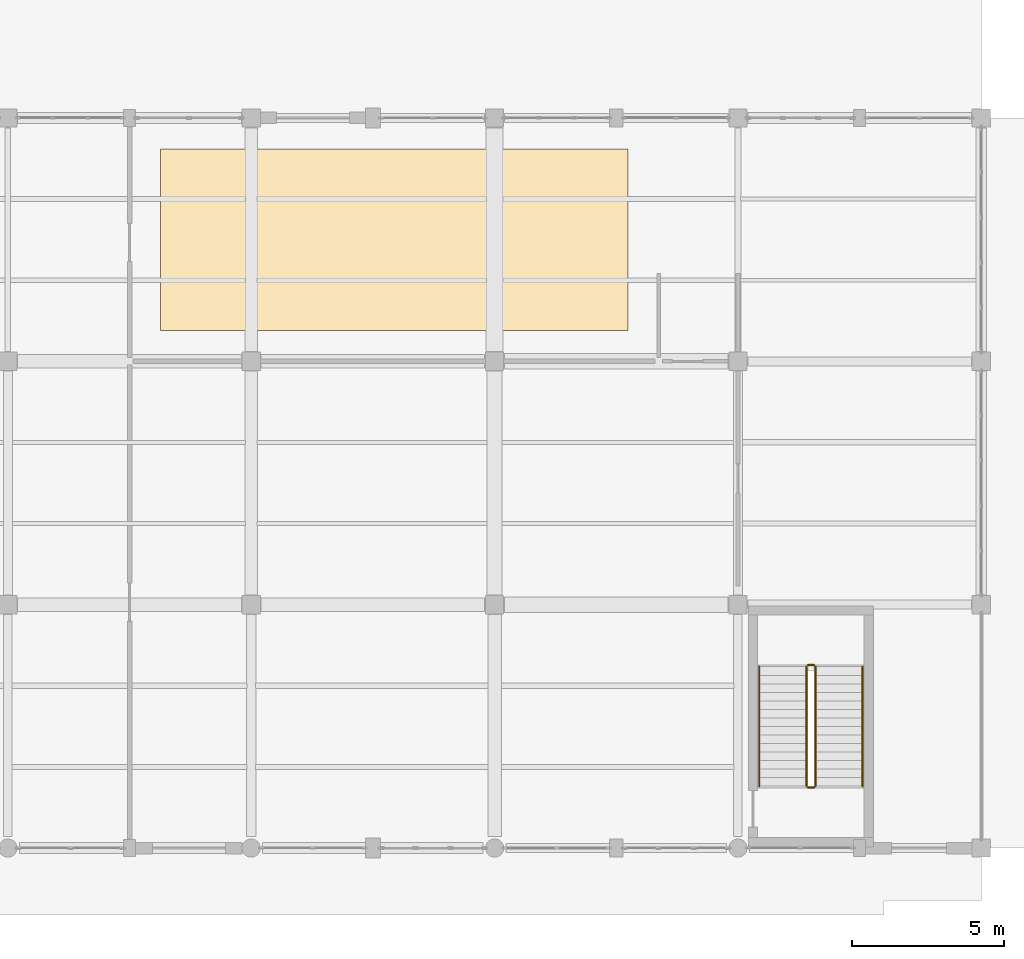
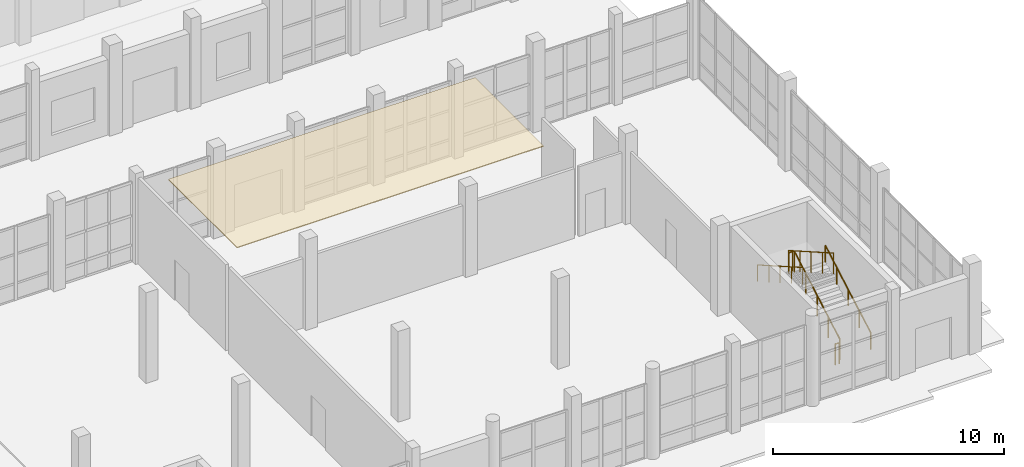
# One storey, part 150 of 156: 6 railings, 1 covering.
"""IFC4 building model written with IfcOpenShell, lengths in metres."""

from ifc_helpers import new_model, si_unit, direction, frame, origin, origin_2d, place, context, subcontext, project, spatial, polyline, circle, outline, extrude, material, layer, layer_set, type_object, element, save


model = new_model("IFC4")

# Units and contexts
model_context = context("Model", 3, precision=1e-05, world=origin(), true_north=direction((0.0, 1.0)))
body_context = subcontext(model_context, "Body", "Model", "MODEL_VIEW")
ifc_project = project(units=[si_unit("LENGTHUNIT", "METRE"), si_unit("AREAUNIT", "SQUARE_METRE"), si_unit("VOLUMEUNIT", "CUBIC_METRE"), si_unit("PLANEANGLEUNIT", "RADIAN"), si_unit("MASSUNIT", "GRAM", prefix="KILO")], contexts=[model_context])

# Site, building, storey
site_placement = place(None, origin())
site = spatial("IfcSite", under=ifc_project, at=site_placement, CompositionType="ELEMENT")
building_placement = place(site_placement, origin())
building = spatial("IfcBuilding", under=site, at=building_placement, Name="Luwemba Playhouse", CompositionType="ELEMENT")
storey_placement = place(building_placement, origin())
storey = spatial("IfcBuildingStorey", under=building, at=storey_placement, Name="L00", CompositionType="ELEMENT", Elevation=0.0)

# Covering
ifc_material_1 = material(Name="Perforated acoustic gypsum and timber baffle ceiling", Category="wood")
ifc_layer = layer(ifc_material_1, 0.044921875)
ifc_layer_set = layer_set([ifc_layer], Name="Perforated acoustic gypsum and timber baffle ceiling")
covering_type = type_object("IfcCoveringType", Name="COV-CEIL-AC", PredefinedType="CEILING", material=ifc_layer_set)
covering_placement = place(storey_placement, frame((0.0, 0.0, 4.5048828125)))
element("IfcCovering", 1, at=covering_placement, inside=storey, type_object=covering_type, Name="L00 Cafe Culinary Preparation Kitchen acoustic ceiling cloud", PredefinedType="CEILING", context=body_context, shape_type="SweptSolid", body=[
    extrude(outline(polyline([(145.02001953125, 20.02001953125), (160.3798828125, 20.02001953125), (160.3798828125, 25.97998046875), (145.02001953125, 25.97998046875), (145.02001953125, 20.02001953125)])), origin(), (0.0, 0.0, 1.0), 0.045166015625),
])

# Railings
ifc_material_2 = material(Name="Painted wrought-iron gallery balustrade", Category="steel")
railing_type_1 = type_object("IfcRailingType", Name="RLG-BAL-INT", PredefinedType="BALUSTRADE", material=ifc_material_2)
railing_1_placement = place(storey_placement, frame((166.550048828125, 5.0400390625, 0.159912109375)))
element("IfcRailing", 2, at=railing_1_placement, inside=storey, type_object=railing_type_1, Name="L00 ST-05 stair guard 1", PredefinedType="BALUSTRADE", context=body_context, shape_type="SweptSolid", body=[
    extrude(circle(Radius=0.02392578125, at=origin_2d()), frame((0.0, 0.0, 1.09619140625), z_axis=(0.0, 0.868239814368, 0.496144761885), x_axis=(-1.0, 0.0, 0.0)), (0.0, 0.0, 1.0), 4.514892578125),
    extrude(circle(Radius=0.02099609375, at=origin_2d()), origin(), (0.0, 0.0, 1.0), 1.072021484375),
    extrude(circle(Radius=0.02099609375, at=origin_2d()), frame((0.0, 0.97998046875, 0.56005859375)), (0.0, 0.0, 1.0), 1.072021484375),
    extrude(circle(Radius=0.02099609375, at=origin_2d()), frame((0.0, 1.9599609375, 1.1201171875)), (0.0, 0.0, 1.0), 1.072021484375),
    extrude(circle(Radius=0.02099609375, at=origin_2d()), frame((0.0, 2.93994140625, 1.679931640625)), (0.0, 0.0, 1.0), 1.072021484375),
    extrude(circle(Radius=0.02099609375, at=origin_2d()), frame((0.0, 3.919921875, 2.239990234375)), (0.0, 0.0, 1.0), 1.072021484375),
])
railing_2_placement = place(storey_placement, frame((166.5, 9.010009765625, 2.39990234375)))
element("IfcRailing", 3, at=railing_2_placement, inside=storey, type_object=railing_type_1, Name="L00 ST-05 stair guard 2", PredefinedType="BALUSTRADE", context=body_context, shape_type="SweptSolid", body=[
    extrude(circle(Radius=0.02392578125, at=origin_2d()), frame((0.0, 0.0, 1.09619140625), z_axis=(-1.0, 0.0, 0.0), x_axis=(0.0, -1.0, 0.0)), (0.0, 0.0, 1.0), 0.199951171875),
    extrude(circle(Radius=0.02099609375, at=origin_2d()), origin(), (0.0, 0.0, 1.0), 1.072021484375),
    extrude(circle(Radius=0.02099609375, at=origin_2d()), frame((-0.199951171875, 0.0, 0.0)), (0.0, 0.0, 1.0), 1.072021484375),
])
railing_3_placement = place(storey_placement, frame((166.25, 8.9599609375, 2.56005859375)))
element("IfcRailing", 4, at=railing_3_placement, inside=storey, type_object=railing_type_1, Name="L00 ST-05 stair guard 3", PredefinedType="BALUSTRADE", context=body_context, shape_type="SweptSolid", body=[
    extrude(circle(Radius=0.02392578125, at=origin_2d()), frame((0.0, 0.0, 1.09619140625), z_axis=(0.0, -0.868239814368, 0.496144761885), x_axis=(1.0, 0.0, 0.0)), (0.0, 0.0, 1.0), 4.514892578125),
    extrude(circle(Radius=0.02099609375, at=origin_2d()), origin(), (0.0, 0.0, 1.0), 1.072021484375),
    extrude(circle(Radius=0.02099609375, at=origin_2d()), frame((0.0, -0.97998046875, 0.56005859375)), (0.0, 0.0, 1.0), 1.072021484375),
    extrude(circle(Radius=0.02099609375, at=origin_2d()), frame((0.0, -1.9599609375, 1.1201171875)), (0.0, 0.0, 1.0), 1.072021484375),
    extrude(circle(Radius=0.02099609375, at=origin_2d()), frame((0.0, -2.93994140625, 1.679931640625)), (0.0, 0.0, 1.0), 1.072021484375),
    extrude(circle(Radius=0.02099609375, at=origin_2d()), frame((0.0, -3.919921875, 2.239990234375)), (0.0, 0.0, 1.0), 1.072021484375),
])
railing_4_placement = place(storey_placement, frame((166.5, 4.989990234375, 0.0)))
element("IfcRailing", 5, at=railing_4_placement, inside=storey, type_object=railing_type_1, Name="L00 ST-05 stair guard 4", PredefinedType="BALUSTRADE", context=body_context, shape_type="SweptSolid", body=[
    extrude(circle(Radius=0.02392578125, at=origin_2d()), frame((0.0, 0.0, 1.09619140625), z_axis=(-1.0, 0.0, 0.0), x_axis=(0.0, -1.0, 0.0)), (0.0, 0.0, 1.0), 0.199951171875),
    extrude(circle(Radius=0.02099609375, at=origin_2d()), origin(), (0.0, 0.0, 1.0), 1.072021484375),
    extrude(circle(Radius=0.02099609375, at=origin_2d()), frame((-0.199951171875, 0.0, 0.0)), (0.0, 0.0, 1.0), 1.072021484375),
])
ifc_material_3 = material(Name="Hardwood and bronze handrail", Category="wood")
railing_type_2 = type_object("IfcRailingType", Name="RLG-HR-INT", PredefinedType="HANDRAIL", material=ifc_material_3)
railing_5_placement = place(storey_placement, frame((168.10009765625, 5.0400390625, 0.159912109375)))
element("IfcRailing", 6, at=railing_5_placement, inside=storey, type_object=railing_type_2, Name="L00 ST-05 stair handrail 1", PredefinedType="HANDRAIL", context=body_context, shape_type="SweptSolid", body=[
    extrude(circle(Radius=0.02392578125, at=origin_2d()), frame((0.0, 0.0, 0.8759765625), z_axis=(0.0, 0.868239814368, 0.496144761885), x_axis=(-1.0, 0.0, 0.0)), (0.0, 0.0, 1.0), 4.514892578125),
    extrude(circle(Radius=0.02099609375, at=origin_2d()), origin(), (0.0, 0.0, 1.0), 0.851806640625),
    extrude(circle(Radius=0.02099609375, at=origin_2d()), frame((0.0, 0.97998046875, 0.56005859375)), (0.0, 0.0, 1.0), 0.851806640625),
    extrude(circle(Radius=0.02099609375, at=origin_2d()), frame((0.0, 1.9599609375, 1.1201171875)), (0.0, 0.0, 1.0), 0.851806640625),
    extrude(circle(Radius=0.02099609375, at=origin_2d()), frame((0.0, 2.93994140625, 1.679931640625)), (0.0, 0.0, 1.0), 0.851806640625),
    extrude(circle(Radius=0.02099609375, at=origin_2d()), frame((0.0, 3.919921875, 2.239990234375)), (0.0, 0.0, 1.0), 0.851806640625),
])
railing_6_placement = place(storey_placement, frame((164.699951171875, 8.9599609375, 2.56005859375)))
element("IfcRailing", 7, at=railing_6_placement, inside=storey, type_object=railing_type_2, Name="L00 ST-05 stair handrail 2", PredefinedType="HANDRAIL", context=body_context, shape_type="SweptSolid", body=[
    extrude(circle(Radius=0.02392578125, at=origin_2d()), frame((0.0, 0.0, 0.8759765625), z_axis=(0.0, -0.868239814368, 0.496144761885), x_axis=(1.0, 0.0, 0.0)), (0.0, 0.0, 1.0), 4.514892578125),
    extrude(circle(Radius=0.02099609375, at=origin_2d()), origin(), (0.0, 0.0, 1.0), 0.851806640625),
    extrude(circle(Radius=0.02099609375, at=origin_2d()), frame((0.0, -0.97998046875, 0.56005859375)), (0.0, 0.0, 1.0), 0.851806640625),
    extrude(circle(Radius=0.02099609375, at=origin_2d()), frame((0.0, -1.9599609375, 1.1201171875)), (0.0, 0.0, 1.0), 0.851806640625),
    extrude(circle(Radius=0.02099609375, at=origin_2d()), frame((0.0, -2.93994140625, 1.679931640625)), (0.0, 0.0, 1.0), 0.851806640625),
    extrude(circle(Radius=0.02099609375, at=origin_2d()), frame((0.0, -3.919921875, 2.239990234375)), (0.0, 0.0, 1.0), 0.851806640625),
])

save(model, "model.ifc")
